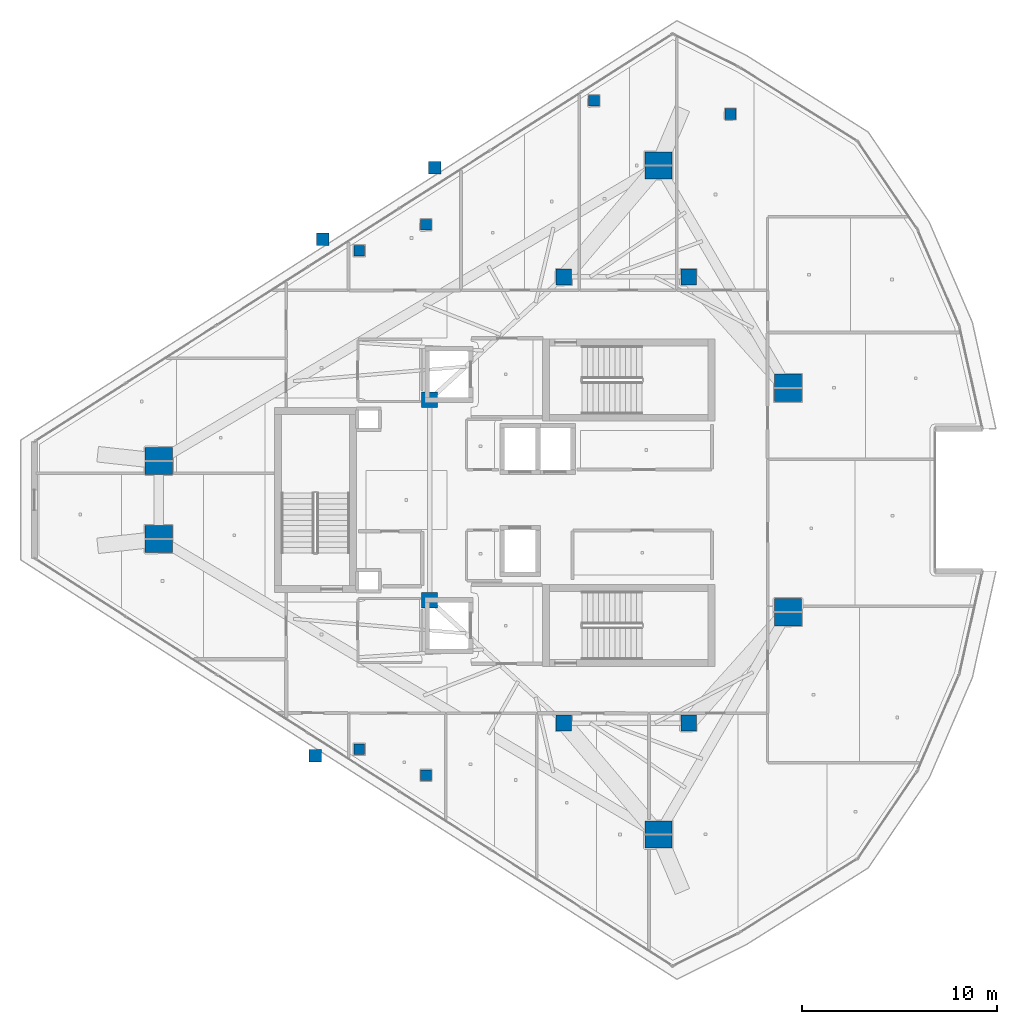
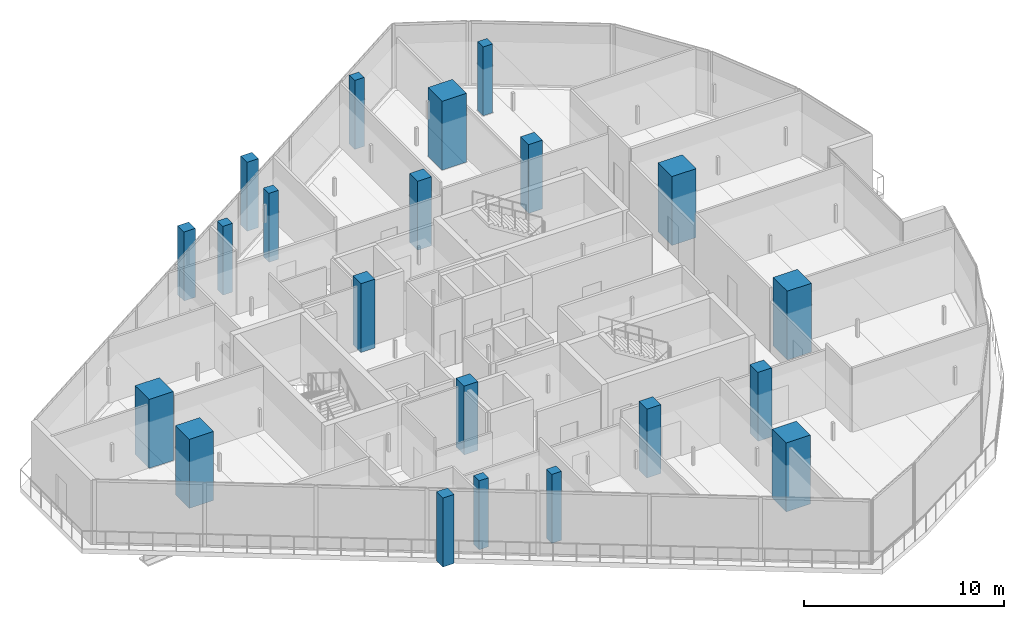
# One storey, part 1 of 29: 21 columns.
"""IFC4 building model written with IfcOpenShell, lengths in metres."""

from ifc_helpers import new_model, si_unit, direction, frame, origin, origin_2d, place, context, subcontext, project, spatial, rectangle, extrude, material, material_profile, profile_set, type_object, element, save


model = new_model("IFC4")

# Units and contexts
model_context = context("Model", 3, precision=1e-05, world=origin(), true_north=direction((0.0, 1.0)))
body_context = subcontext(model_context, "Body", "Model", "MODEL_VIEW")
ifc_project = project(units=[si_unit("LENGTHUNIT", "METRE"), si_unit("AREAUNIT", "SQUARE_METRE"), si_unit("VOLUMEUNIT", "CUBIC_METRE"), si_unit("PLANEANGLEUNIT", "RADIAN"), si_unit("MASSUNIT", "GRAM", prefix="KILO")], contexts=[model_context])

# Site, building, storey
site_placement = place(None, origin())
site = spatial("IfcSite", under=ifc_project, at=site_placement, CompositionType="ELEMENT")
building_placement = place(site_placement, origin())
building = spatial("IfcBuilding", under=site, at=building_placement, Name="Qorvath Tower", CompositionType="ELEMENT")
storey_placement = place(building_placement, frame((0.0, 0.0, 285.0)))
storey = spatial("IfcBuildingStorey", under=building, at=storey_placement, Name="L66", CompositionType="ELEMENT", Elevation=285.0)

# Columns
ifc_material_1 = material(Name="Concrete C50/60", Category="concrete")
ifc_material_profile_1 = material_profile(ifc_material_1, rectangle(XDim=1.39990234375, YDim=1.39990234375, at=origin_2d()), Name="MC 1400x1400")
ifc_profile_set_1 = profile_set([ifc_material_profile_1], Name="Concrete C50/60")
column_type_1 = type_object("IfcColumnType", Name="COL-MC6", PredefinedType="COLUMN", material=ifc_profile_set_1)
for number, where, z_axis, x_axis, name in (
    (1, (-44.402587890625, 2.007568359375, 0.0), (0.0, 0.0, 1.0), (1.0, 0.0, 0.0), "Composite Mega-Column MC1 L66"),
    (2, (-44.402587890625, -2.007568359375, 0.0), (0.0, 0.0, 1.0), (1.0, 0.0, 0.0), "Composite Mega-Column MC2 L66"),
    (3, (-18.75048828125, -17.175537109375, 0.0), (0.0, 0.0, 1.0), (1.0, 0.0, 0.0), "Composite Mega-Column MC3 L66"),
    (4, (-12.0966796875, -5.7578125, 0.0), (0.0, 0.0, 1.0), (1.0, 0.0, 0.0), "Composite Mega-Column MC4 L66"),
    (5, (-12.0966796875, 5.7578125, 0.0), (0.0, 0.0, 1.0), (1.0, 0.0, 0.0), "Composite Mega-Column MC5 L66"),
    (6, (-18.75048828125, 17.175537109375, 0.0), (0.0, 0.0, 1.0), (1.0, 0.0, 0.0), "Composite Mega-Column MC6 L66"),
):
    element("IfcColumn", number, at=place(storey_placement, frame(where, z_axis=z_axis, x_axis=x_axis)), inside=storey, type_object=column_type_1, Name=name, PredefinedType="COLUMN", context=body_context, shape_type="SweptSolid", body=[
        extrude(rectangle(XDim=1.39990234375, YDim=1.39990234375, at=origin_2d()), origin(), (0.0, 0.0, 1.0), 4.199951171875),
    ])
ifc_material_2 = material(Name="Concrete C50/60", Category="concrete")
ifc_material_profile_2 = material_profile(ifc_material_2, rectangle(XDim=0.800048828125, YDim=0.800048828125, at=origin_2d()), Name="RC 800x800")
ifc_profile_set_2 = profile_set([ifc_material_profile_2], Name="Concrete C50/60")
column_type_2 = type_object("IfcColumnType", Name="COL-RC4", PredefinedType="COLUMN", material=ifc_profile_set_2)
for number, where, z_axis, x_axis, name in (
    (7, (-23.60009765625, 11.449951171875, 0.0), (0.0, 0.0, 1.0), (1.0, 0.0, 0.0), "Core Spine Column CC1 L66"),
    (8, (-17.199951171875, 11.449951171875, 0.0), (0.0, 0.0, 1.0), (1.0, 0.0, 0.0), "Core Spine Column CC2 L66"),
    (9, (-17.199951171875, -11.449951171875, 0.0), (0.0, 0.0, 1.0), (1.0, 0.0, 0.0), "Core Spine Column CC3 L66"),
    (10, (-23.60009765625, -11.449951171875, 0.0), (0.0, 0.0, 1.0), (1.0, 0.0, 0.0), "Core Spine Column CC4 L66"),
    (11, (-30.5, 5.14990234375, 0.0), (0.0, 0.0, 1.0), (1.0, 0.0, 0.0), "Core Spine Column CC5 L66"),
    (12, (-30.5, -5.14990234375, 0.0), (0.0, 0.0, 1.0), (1.0, 0.0, 0.0), "Core Spine Column CC6 L66"),
):
    element("IfcColumn", number, at=place(storey_placement, frame(where, z_axis=z_axis, x_axis=x_axis)), inside=storey, type_object=column_type_2, Name=name, PredefinedType="COLUMN", context=body_context, shape_type="SweptSolid", body=[
        extrude(rectangle(XDim=0.800048828125, YDim=0.800048828125, at=origin_2d()), origin(), (0.0, 0.0, 1.0), 4.199951171875),
    ])
ifc_material_3 = material(Name="Concrete C45/55", Category="concrete")
ifc_material_profile_3 = material_profile(ifc_material_3, rectangle(XDim=0.64990234375, YDim=0.64990234375, at=origin_2d()), Name="RC 650x650")
ifc_profile_set_3 = profile_set([ifc_material_profile_3], Name="Concrete C45/55")
column_type_3 = type_object("IfcColumnType", Name="COL-RC6", PredefinedType="COLUMN", material=ifc_profile_set_3)
for number, where, z_axis, x_axis, name in (
    (13, (-35.980712890625, 13.380859375, 0.0), (0.0, 0.0, 1.0), (1.0, 0.0, 0.0), "Loggia Frame Pier Column LGF1 L66"),
    (14, (-36.36474609375, -13.135498046875, 0.0), (0.0, 0.0, 1.0), (1.0, 0.0, 0.0), "Loggia Frame Pier Column LGF2 L66"),
    (15, (-30.224853515625, 17.0595703125, 0.0), (0.0, 0.0, 1.0), (1.0, 0.0, 0.0), "Loggia Frame Pier Column LGF3 L66"),
):
    element("IfcColumn", number, at=place(storey_placement, frame(where, z_axis=z_axis, x_axis=x_axis)), inside=storey, type_object=column_type_3, Name=name, PredefinedType="COLUMN", context=body_context, shape_type="SweptSolid", body=[
        extrude(rectangle(XDim=0.64990234375, YDim=0.64990234375, at=origin_2d()), origin(), (0.0, 0.0, 1.0), 4.199951171875),
    ])
ifc_material_4 = material(Name="Concrete C45/55", Category="concrete")
ifc_material_profile_4 = material_profile(ifc_material_4, rectangle(XDim=0.550048828125, YDim=0.550048828125, at=origin_2d()), Name="RC 550x550")
ifc_profile_set_4 = profile_set([ifc_material_profile_4], Name="Concrete C45/55")
column_type_4 = type_object("IfcColumnType", Name="COL-RC7", PredefinedType="COLUMN", material=ifc_profile_set_4)
for number, where, z_axis, x_axis, name in (
    (16, (-34.104248046875, 12.79248046875, 0.0), (0.0, 0.0, 1.0), (1.0, 0.0, 0.0), "Loggia Frame Pier Column LGG1 L66"),
    (17, (-34.104248046875, -12.79248046875, 0.0), (0.0, 0.0, 1.0), (1.0, 0.0, 0.0), "Loggia Frame Pier Column LGG2 L66"),
    (18, (-22.05322265625, 20.494873046875, 0.0), (0.0, 0.0, 1.0), (1.0, 0.0, 0.0), "Loggia Frame Pier Column LGG3 L66"),
    (19, (-30.67724609375, 14.124267578125, 0.0), (0.0, 0.0, 1.0), (1.0, 0.0, 0.0), "Loggia Frame Pier Column LGH1 L66"),
    (20, (-30.67724609375, -14.124267578125, 0.0), (0.0, 0.0, 1.0), (1.0, 0.0, 0.0), "Loggia Frame Pier Column LGH2 L66"),
    (21, (-15.046142578125, 19.818115234375, 0.0), (0.0, 0.0, 1.0), (1.0, 0.0, 0.0), "Loggia Frame Pier Column LGH3 L66"),
):
    element("IfcColumn", number, at=place(storey_placement, frame(where, z_axis=z_axis, x_axis=x_axis)), inside=storey, type_object=column_type_4, Name=name, PredefinedType="COLUMN", context=body_context, shape_type="SweptSolid", body=[
        extrude(rectangle(XDim=0.550048828125, YDim=0.550048828125, at=origin_2d()), origin(), (0.0, 0.0, 1.0), 4.199951171875),
    ])

save(model, "model.ifc")
